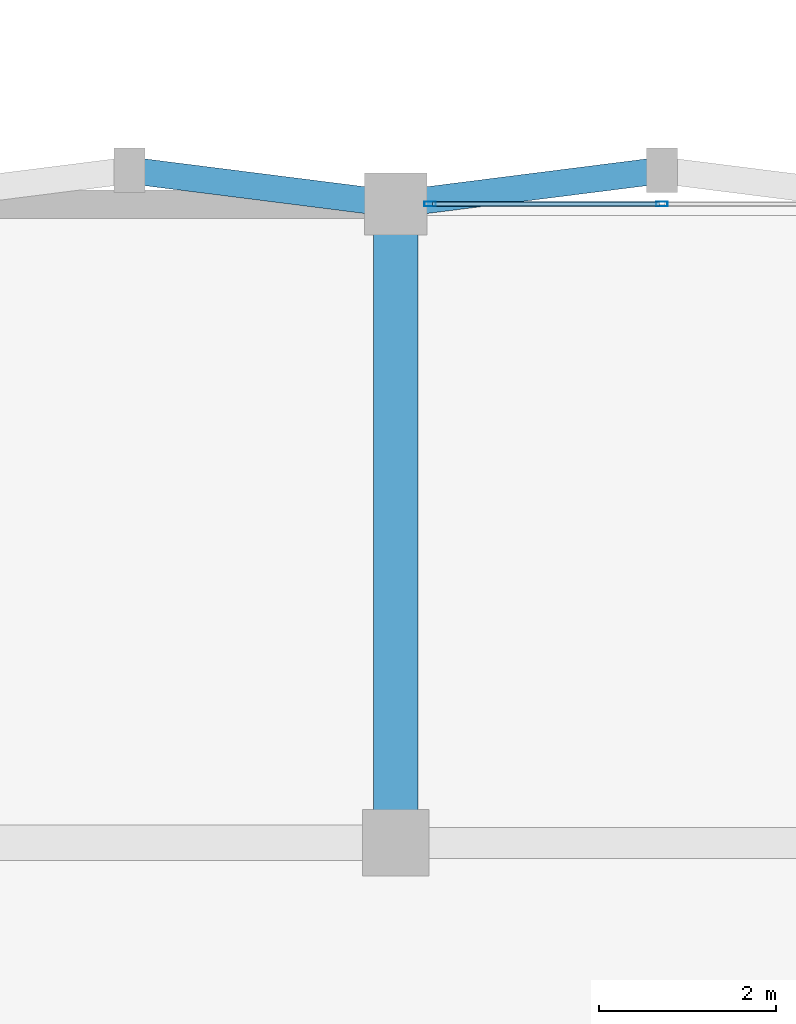
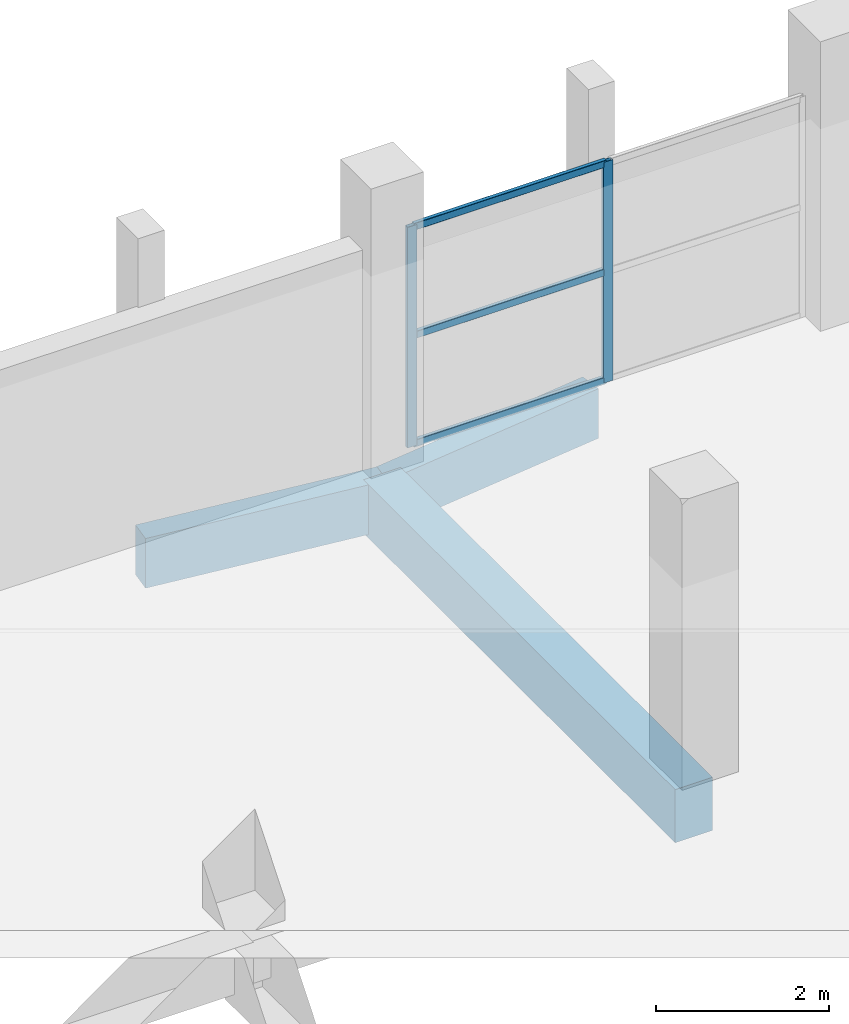
# One storey, part 16 of 127: 5 members, 3 beams, 1 element without a shape of its own.
"""IFC4 building model written with IfcOpenShell, lengths in metres."""

from ifc_helpers import new_model, si_unit, direction, frame, origin, origin_2d, place, context, subcontext, project, spatial, rectangle, hollow_rectangle, extrude, material, layer, layer_set, material_profile, profile_set, type_object, element, aggregate, save


model = new_model("IFC4")

# Units and contexts
model_context = context("Model", 3, precision=1e-05, world=origin(), true_north=direction((0.0, 1.0)))
body_context = subcontext(model_context, "Body", "Model", "MODEL_VIEW")
ifc_project = project(units=[si_unit("LENGTHUNIT", "METRE"), si_unit("AREAUNIT", "SQUARE_METRE"), si_unit("VOLUMEUNIT", "CUBIC_METRE"), si_unit("PLANEANGLEUNIT", "RADIAN"), si_unit("MASSUNIT", "GRAM", prefix="KILO")], contexts=[model_context])

# Site, building, storey
site_placement = place(None, origin())
site = spatial("IfcSite", under=ifc_project, at=site_placement, CompositionType="ELEMENT")
building_placement = place(site_placement, origin())
building = spatial("IfcBuilding", under=site, at=building_placement, Name="Dunvalen Ferry Terminal", CompositionType="ELEMENT")
storey_placement = place(building_placement, frame((0.0, 0.0, 5.760009765625)))
storey = spatial("IfcBuildingStorey", under=building, at=storey_placement, Name="L01", CompositionType="ELEMENT", Elevation=5.760009765625)

# Curtain wall, members
ifc_material_1 = material(Name="Anodised marine aluminium and solar-control glazing", Category="aluminium")
ifc_layer = layer(ifc_material_1, 0.14990234375, Name="Anodised marine aluminium and solar-control glazing")
ifc_layer_set = layer_set([ifc_layer], Name="Anodised marine aluminium and solar-control glazing")
curtain_wall_type = type_object("IfcCurtainWallType", Name="ENV-CW-SYS-11", PredefinedType="NOTDEFINED", material=ifc_layer_set)
curtain_wall_placement = place(storey_placement, origin())
curtain_wall = element("IfcCurtainWall", 1, at=curtain_wall_placement, inside=storey, type_object=curtain_wall_type, Name="L01 Curtain Wall CW-V5CORE-L01-7-7", PredefinedType="NOTDEFINED")
ifc_material_2 = material(Name="Anodised marine aluminium EN AW-6063 T6", Category="aluminium")
ifc_material_profile_1 = material_profile(ifc_material_2, hollow_rectangle(XDim=0.054931640625, YDim=0.1298828125, WallThickness=0.003173828125, InnerFilletRadius=0.003173828125, OuterFilletRadius=0.00634765625, at=origin_2d()), Name="Anodised marine aluminium EN AW-6063 T6")
ifc_profile_set_1 = profile_set([ifc_material_profile_1], Name="Anodised marine aluminium EN AW-6063 T6")
member_type_1 = type_object("IfcMemberType", Name="ENV-CW-MUL-4", PredefinedType="MULLION", material=ifc_profile_set_1)
member_1_placement = place(storey_placement, frame((45.0, 36.0, 0.0), z_axis=(0.0, 0.0, 1.0), x_axis=(0.0, -1.0, 0.0)))
member_1 = element("IfcMember", 2, at=member_1_placement, type_object=member_type_1, Name="CW-11 mullion 2", PredefinedType="MULLION", context=body_context, shape_type="SweptSolid", body=[
    extrude(hollow_rectangle(XDim=0.054931640625, YDim=0.1298828125, WallThickness=0.003173828125, InnerFilletRadius=0.003173828125, OuterFilletRadius=0.00634765625, at=origin_2d()), origin(), (0.0, 0.0, 1.0), 3.110107421875),
])
member_2_placement = place(storey_placement, frame((42.387451171875, 36.0, 0.0), z_axis=(0.0, 0.0, 1.0), x_axis=(0.0, -1.0, 0.0)))
member_2 = element("IfcMember", 3, at=member_2_placement, type_object=member_type_1, Name="CW-11 mullion 3", PredefinedType="MULLION", context=body_context, shape_type="SweptSolid", body=[
    extrude(hollow_rectangle(XDim=0.054931640625, YDim=0.1298828125, WallThickness=0.003173828125, InnerFilletRadius=0.003173828125, OuterFilletRadius=0.00634765625, at=origin_2d()), origin(), (0.0, 0.0, 1.0), 3.110107421875),
])
ifc_material_profile_2 = material_profile(ifc_material_2, hollow_rectangle(XDim=0.054931640625, YDim=0.10009765625, WallThickness=0.0029296875, InnerFilletRadius=0.0029296875, OuterFilletRadius=0.006103515625, at=origin_2d()), Name="Anodised marine aluminium EN AW-6063 T6")
ifc_profile_set_2 = profile_set([ifc_material_profile_2], Name="Anodised marine aluminium EN AW-6063 T6")
member_type_2 = type_object("IfcMemberType", Name="ENV-CW-TRN-4", PredefinedType="USERDEFINED", material=ifc_profile_set_2)
member_3_placement = place(storey_placement, frame((44.972412109375, 36.0, 0.027587890625), z_axis=(-1.0, 0.0, 0.0), x_axis=(0.0, -1.0, 0.0)))
member_3 = element("IfcMember", 4, at=member_3_placement, type_object=member_type_2, Name="CW-11 transom 2.1", ObjectType="TRANSOM", PredefinedType="USERDEFINED", context=body_context, shape_type="SweptSolid", body=[
    extrude(hollow_rectangle(XDim=0.054931640625, YDim=0.10009765625, WallThickness=0.0029296875, InnerFilletRadius=0.0029296875, OuterFilletRadius=0.006103515625, at=origin_2d()), origin(), (0.0, 0.0, 1.0), 2.557373046875),
])
member_4_placement = place(storey_placement, frame((44.972412109375, 36.0, 1.554931640625), z_axis=(-1.0, 0.0, 0.0), x_axis=(0.0, -1.0, 0.0)))
member_4 = element("IfcMember", 5, at=member_4_placement, type_object=member_type_2, Name="CW-11 transom 2.2", ObjectType="TRANSOM", PredefinedType="USERDEFINED", context=body_context, shape_type="SweptSolid", body=[
    extrude(hollow_rectangle(XDim=0.054931640625, YDim=0.10009765625, WallThickness=0.0029296875, InnerFilletRadius=0.0029296875, OuterFilletRadius=0.006103515625, at=origin_2d()), origin(), (0.0, 0.0, 1.0), 2.557373046875),
])
member_5_placement = place(storey_placement, frame((44.972412109375, 36.0, 3.08251953125), z_axis=(-1.0, 0.0, 0.0), x_axis=(0.0, -1.0, 0.0)))
member_5 = element("IfcMember", 6, at=member_5_placement, type_object=member_type_2, Name="CW-11 transom 2.3", ObjectType="TRANSOM", PredefinedType="USERDEFINED", context=body_context, shape_type="SweptSolid", body=[
    extrude(hollow_rectangle(XDim=0.054931640625, YDim=0.10009765625, WallThickness=0.0029296875, InnerFilletRadius=0.0029296875, OuterFilletRadius=0.006103515625, at=origin_2d()), origin(), (0.0, 0.0, 1.0), 2.557373046875),
])
aggregate(curtain_wall, [member_1, member_2, member_3, member_4, member_5])

# Beams
ifc_material_3 = material(Name="Concrete C40/50", Category="concrete")
ifc_material_profile_3 = material_profile(ifc_material_3, rectangle(XDim=0.5, YDim=0.75, at=origin_2d()), Name="Concrete C40/50")
ifc_profile_set_3 = profile_set([ifc_material_profile_3], Name="Concrete C40/50")
beam_type_1 = type_object("IfcBeamType", Name="STR-BM-RCB750", PredefinedType="BEAM", material=ifc_profile_set_3)
beam_placement = place(storey_placement, frame((42.0, 28.800048828125, -0.635009765625), z_axis=(0.0, 1.0, 0.0), x_axis=(-1.0, 0.0, 0.0)))
element("IfcBeam", 7, at=beam_placement, inside=storey, type_object=beam_type_1, Name="L01 V5P0 Primary Girder Y-107", PredefinedType="BEAM", context=body_context, shape_type="SweptSolid", body=[
    extrude(rectangle(XDim=0.5, YDim=0.75, at=origin_2d()), origin(), (0.0, 0.0, 1.0), 7.199951171875),
])
ifc_material_profile_4 = material_profile(ifc_material_3, rectangle(XDim=0.300048828125, YDim=0.699951171875, at=origin_2d()), Name="Concrete C40/50")
ifc_profile_set_4 = profile_set([ifc_material_profile_4], Name="Concrete C40/50")
beam_type_2 = type_object("IfcBeamType", Name="STR-BM-RCSP700", PredefinedType="SPANDREL", material=ifc_profile_set_4)
for number, where, z_axis, x_axis, name in (
    (8, (39.0, 36.3798828125, -0.610107421875), (0.992077869489, -0.12562444376, 0.0), (0.12562444376, 0.992077869489, 0.0), "L01 Passage Pilaster Spandrel Tie 05.2"),
    (9, (42.0, 36.0, -0.610107421875), (0.992077869489, 0.12562444376, 0.0), (-0.12562444376, 0.992077869489, 0.0), "L01 Passage Pilaster Spandrel Tie 06.1"),
):
    element("IfcBeam", number, at=place(storey_placement, frame(where, z_axis=z_axis, x_axis=x_axis)), inside=storey, type_object=beam_type_2, Name=name, PredefinedType="SPANDREL", context=body_context, shape_type="SweptSolid", body=[
        extrude(rectangle(XDim=0.300048828125, YDim=0.699951171875, at=origin_2d()), origin(), (0.0, 0.0, 1.0), 3.02392578125),
    ])

save(model, "model.ifc")
